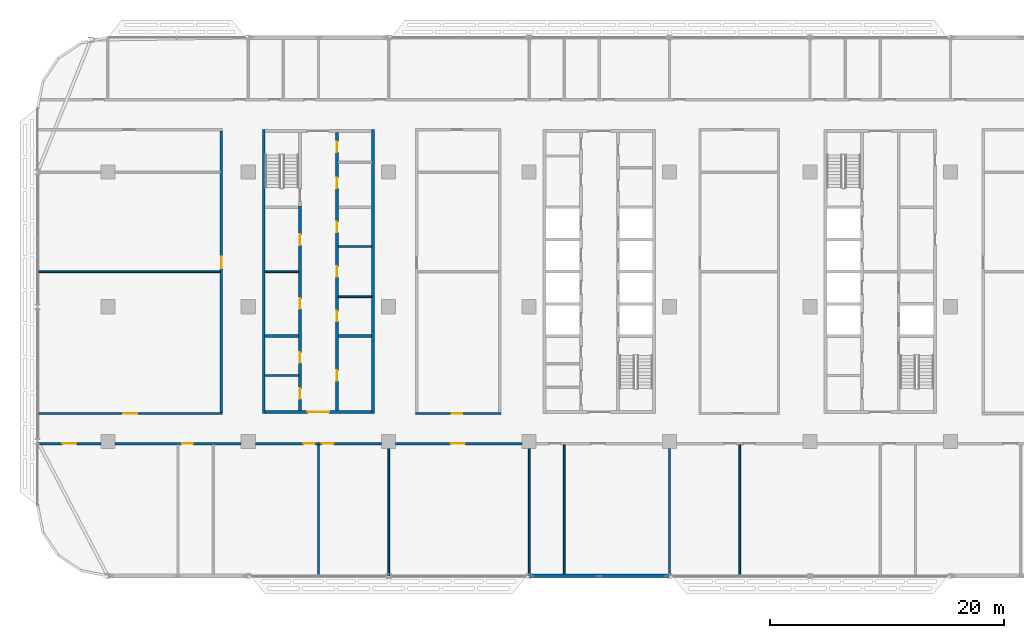
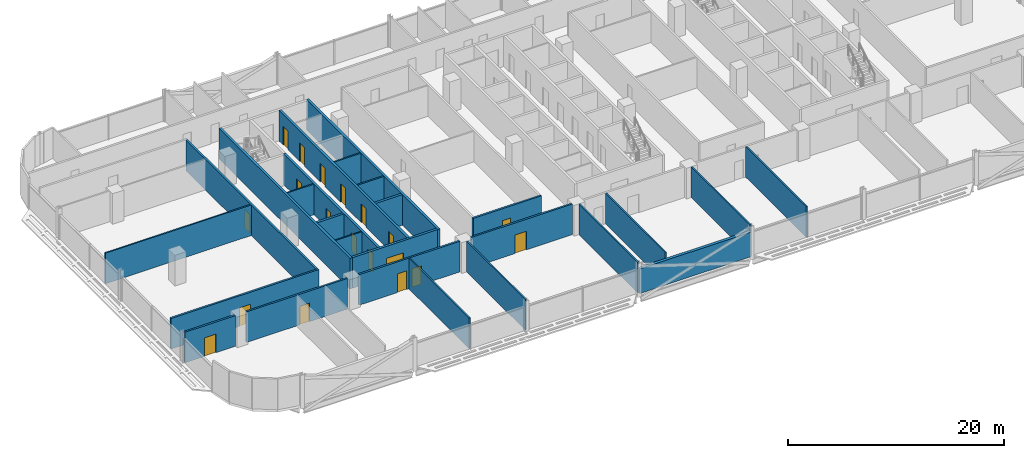
# One storey, part 11 of 27: 26 walls, 19 doors, 19 openings.
"""IFC4 building model written with IfcOpenShell, lengths in metres."""

from ifc_helpers import new_model, si_unit, direction, frame, frame_2d, origin, place, context, subcontext, project, spatial, rectangle, extrude, material, layer, layer_set, type_object, element, fill, save


model = new_model("IFC4")

# Units and contexts
model_context = context("Model", 3, precision=1e-05, world=origin(), true_north=direction((0.0, 1.0)))
body_context = subcontext(model_context, "Body", "Model", "MODEL_VIEW")
ifc_project = project(units=[si_unit("LENGTHUNIT", "METRE"), si_unit("AREAUNIT", "SQUARE_METRE"), si_unit("VOLUMEUNIT", "CUBIC_METRE"), si_unit("PLANEANGLEUNIT", "RADIAN"), si_unit("MASSUNIT", "GRAM", prefix="KILO")], contexts=[model_context])

# Site, building, storey
site_placement = place(None, origin())
site = spatial("IfcSite", under=ifc_project, at=site_placement, CompositionType="ELEMENT")
building_placement = place(site_placement, origin())
building = spatial("IfcBuilding", under=site, at=building_placement, Name="Mahtab Terrace Research Tower", CompositionType="ELEMENT")
storey_placement = place(building_placement, frame((0.0, 0.0, 163.0)))
storey = spatial("IfcBuildingStorey", under=building, at=storey_placement, Name="L38", CompositionType="ELEMENT", Elevation=163.0)

# Walls
ifc_material_1 = material(Name="Gypsum board partition")
ifc_layer_1 = layer(ifc_material_1, 0.14990234375)
ifc_layer_set_1 = layer_set([ifc_layer_1], Name="Core partition 150")
wall_type_1 = type_object("IfcWallType", Name="Core partition 150", PredefinedType="PARTITIONING", material=ifc_layer_set_1)
for number, where, z_axis, x_axis, name in (
    (1, (-28.550048828125, 3.0, 0.0), (0.0, 0.0, 1.0), (1.0, 0.0, 0.0), "Core wall A pWL0"),
    (2, (-22.300048828125, 0.85009765625, 0.0), (0.0, 0.0, 1.0), (1.0, 0.0, 0.0), "Core wall A pEL-215"),
    (3, (-22.300048828125, 5.14990234375, 0.0), (0.0, 0.0, 1.0), (1.0, 0.0, 0.0), "Core wall A pEL215"),
    (4, (-28.550048828125, -5.875, 0.0), (0.0, 0.0, 1.0), (1.0, 0.0, 0.0), "Core wall A pWS-888"),
):
    element("IfcWall", number, at=place(storey_placement, frame(where, z_axis=z_axis, x_axis=x_axis)), inside=storey, type_object=wall_type_1, Name=name, PredefinedType="PARTITIONING", context=body_context, shape_type="SweptSolid", body=[
        extrude(rectangle(XDim=2.85009765625, YDim=0.14990234375, at=frame_2d((1.425048828125, 0.0))), origin(), (0.0, 0.0, 1.0), 3.4599609375),
    ])
ifc_material_2 = material(Name="Concrete C70/85", Category="concrete")
ifc_layer_2 = layer(ifc_material_2, 0.25)
ifc_layer_set_2 = layer_set([ifc_layer_2], Name="Core wall 250")
wall_type_2 = type_object("IfcWallType", Name="Core wall 250", PredefinedType="SOLIDWALL", material=ifc_layer_set_2)
for number, where, z_axis, x_axis, name in (
    (5, (-28.675048828125, 15.125, 0.0), (0.0, 0.0, 1.0), (0.0, -1.0, 0.0), "Core wall A outerW"),
    (6, (-19.324951171875, -9.125, 0.0), (0.0, 0.0, 1.0), (0.0, 1.0, 0.0), "Core wall A outerE"),
):
    element("IfcWall", number, at=place(storey_placement, frame(where, z_axis=z_axis, x_axis=x_axis)), inside=storey, type_object=wall_type_2, Name=name, PredefinedType="SOLIDWALL", context=body_context, shape_type="SweptSolid", body=[
        extrude(rectangle(XDim=24.25, YDim=0.25, at=frame_2d((12.125, 0.0))), origin(), (0.0, 0.0, 1.0), 3.4599609375),
    ])

# Wall, opening, door
wall_1_placement = place(storey_placement, frame((-19.449951171875, -9.0, 0.0), z_axis=(0.0, 0.0, 1.0), x_axis=(-1.0, 0.0, 0.0)))
wall_1 = element("IfcWall", 7, at=wall_1_placement, inside=storey, type_object=wall_type_2, Name="Core wall A endS", PredefinedType="SOLIDWALL", context=body_context, shape_type="SweptSolid", body=[
    extrude(rectangle(XDim=9.10009765625, YDim=0.25, at=frame_2d((4.550048828125, 0.0))), origin(), (0.0, 0.0, 1.0), 3.4599609375),
])
opening_1_placement = place(wall_1_placement, frame((3.64990234375, 0.0, 0.0)))
opening_1 = element("IfcOpeningElement", 8, at=opening_1_placement, cuts=wall_1, Name="Opening A-S1", PredefinedType="OPENING", context=body_context, shape_type="SweptSolid", body=[
    extrude(rectangle(XDim=1.800048828125, YDim=2.10009765625, at=frame_2d((0.89990234375, 1.050048828125))), frame((0.0, 0.135009765625, 0.0), z_axis=(0.0, -1.0, 0.0), x_axis=(1.0, 0.0, 0.0)), (0.0, 0.0, 1.0), 0.27001953125),
])
ifc_material_3 = material(Name="Steel fire door", Category="steel")
door_type_1 = type_object("IfcDoorType", Name="Lobby double door 1800x2100 1 HR", OperationType="DOUBLE_DOOR_SINGLE_SWING", PredefinedType="DOOR", material=ifc_material_3)
door_1_placement = place(opening_1_placement, origin())
door_1 = element("IfcDoor", 9, at=door_1_placement, inside=storey, type_object=door_type_1, Name="Core entrance door A S", OperationType="DOUBLE_DOOR_SINGLE_SWING", OverallHeight=2.10009765625, OverallWidth=1.800048828125, PredefinedType="DOOR", context=body_context, shape_type="SweptSolid", body=[
    extrude(rectangle(XDim=1.800048828125, YDim=2.10009765625, at=frame_2d((0.89990234375, 1.050048828125))), frame((0.0, 0.02490234375, 0.0), z_axis=(0.0, -1.0, 0.0), x_axis=(1.0, 0.0, 0.0)), (0.0, 0.0, 1.0), 0.050048828125),
])
fill(opening_1, door_1)

# Wall, openings, doors
wall_2_placement = place(storey_placement, frame((-25.574951171875, -8.875, 0.0), z_axis=(0.0, 0.0, 1.0), x_axis=(0.0, 1.0, 0.0)))
wall_2 = element("IfcWall", 10, at=wall_2_placement, inside=storey, type_object=wall_type_2, Name="Core wall A innerWSL", PredefinedType="SOLIDWALL", context=body_context, shape_type="SweptSolid", body=[
    extrude(rectangle(XDim=17.5, YDim=0.25, at=frame_2d((8.75, 0.0))), origin(), (0.0, 0.0, 1.0), 3.4599609375),
])
opening_2_placement = place(wall_2_placement, frame((8.699951171875, 0.0, 0.0)))
opening_2 = element("IfcOpeningElement", 11, at=opening_2_placement, cuts=wall_2, Name="Opening A-R1", PredefinedType="OPENING", context=body_context, shape_type="SweptSolid", body=[
    extrude(rectangle(XDim=0.89990234375, YDim=2.10009765625, at=frame_2d((0.449951171875, 1.050048828125))), frame((0.0, 0.135009765625, 0.0), z_axis=(0.0, -1.0, 0.0), x_axis=(1.0, 0.0, 0.0)), (0.0, 0.0, 1.0), 0.27001953125),
])
opening_3_placement = place(wall_2_placement, frame((14.14990234375, 0.0, 0.0)))
opening_3 = element("IfcOpeningElement", 12, at=opening_3_placement, cuts=wall_2, Name="Opening A-R2", PredefinedType="OPENING", context=body_context, shape_type="SweptSolid", body=[
    extrude(rectangle(XDim=0.89990234375, YDim=2.10009765625, at=frame_2d((0.449951171875, 1.050048828125))), frame((0.0, 0.135009765625, 0.0), z_axis=(0.0, -1.0, 0.0), x_axis=(1.0, 0.0, 0.0)), (0.0, 0.0, 1.0), 0.27001953125),
])
opening_4_placement = place(wall_2_placement, frame((1.012451171875, 0.0, 0.0)))
opening_4 = element("IfcOpeningElement", 13, at=opening_4_placement, cuts=wall_2, Name="Opening A-R6", PredefinedType="OPENING", context=body_context, shape_type="SweptSolid", body=[
    extrude(rectangle(XDim=0.89990234375, YDim=2.10009765625, at=frame_2d((0.449951171875, 1.050048828125))), frame((0.0, 0.135009765625, 0.0), z_axis=(0.0, -1.0, 0.0), x_axis=(1.0, 0.0, 0.0)), (0.0, 0.0, 1.0), 0.27001953125),
])
opening_5_placement = place(wall_2_placement, frame((4.08740234375, 0.0, 0.0)))
opening_5 = element("IfcOpeningElement", 14, at=opening_5_placement, cuts=wall_2, Name="Opening A-R7", PredefinedType="OPENING", context=body_context, shape_type="SweptSolid", body=[
    extrude(rectangle(XDim=0.89990234375, YDim=2.10009765625, at=frame_2d((0.449951171875, 1.050048828125))), frame((0.0, 0.135009765625, 0.0), z_axis=(0.0, -1.0, 0.0), x_axis=(1.0, 0.0, 0.0)), (0.0, 0.0, 1.0), 0.27001953125),
])
door_type_2 = type_object("IfcDoorType", Name="Room door 900x2100 1 HR", OperationType="NOTDEFINED", PredefinedType="DOOR", material=ifc_material_3)
door_2_placement = place(opening_2_placement, origin())
door_2 = element("IfcDoor", 15, at=door_2_placement, inside=storey, type_object=door_type_2, Name="Document store door", OperationType="SINGLE_SWING_LEFT", OverallHeight=2.10009765625, OverallWidth=0.89990234375, PredefinedType="DOOR", context=body_context, shape_type="SweptSolid", body=[
    extrude(rectangle(XDim=0.89990234375, YDim=2.10009765625, at=frame_2d((0.449951171875, 1.050048828125))), frame((0.0, 0.02490234375, 0.0), z_axis=(0.0, -1.0, 0.0), x_axis=(1.0, 0.0, 0.0)), (0.0, 0.0, 1.0), 0.050048828125),
])
fill(opening_2, door_2)
door_3_placement = place(opening_3_placement, origin())
door_3 = element("IfcDoor", 16, at=door_3_placement, inside=storey, type_object=door_type_2, Name="IT equipment room door", OperationType="SINGLE_SWING_RIGHT", OverallHeight=2.10009765625, OverallWidth=0.89990234375, PredefinedType="DOOR", context=body_context, shape_type="SweptSolid", body=[
    extrude(rectangle(XDim=0.89990234375, YDim=2.10009765625, at=frame_2d((0.449951171875, 1.050048828125))), frame((0.0, 0.02490234375, 0.0), z_axis=(0.0, -1.0, 0.0), x_axis=(1.0, 0.0, 0.0)), (0.0, 0.0, 1.0), 0.050048828125),
])
fill(opening_3, door_3)
door_4_placement = place(opening_4_placement, origin())
door_4 = element("IfcDoor", 17, at=door_4_placement, inside=storey, type_object=door_type_2, Name="Staff WC door", OperationType="SINGLE_SWING_RIGHT", OverallHeight=2.10009765625, OverallWidth=0.89990234375, PredefinedType="DOOR", context=body_context, shape_type="SweptSolid", body=[
    extrude(rectangle(XDim=0.89990234375, YDim=2.10009765625, at=frame_2d((0.449951171875, 1.050048828125))), frame((0.0, 0.02490234375, 0.0), z_axis=(0.0, -1.0, 0.0), x_axis=(1.0, 0.0, 0.0)), (0.0, 0.0, 1.0), 0.050048828125),
])
fill(opening_4, door_4)
door_5_placement = place(opening_5_placement, origin())
door_5 = element("IfcDoor", 18, at=door_5_placement, inside=storey, type_object=door_type_2, Name="Accessible WC door", OperationType="SINGLE_SWING_LEFT", OverallHeight=2.10009765625, OverallWidth=0.89990234375, PredefinedType="DOOR", context=body_context, shape_type="SweptSolid", body=[
    extrude(rectangle(XDim=0.89990234375, YDim=2.10009765625, at=frame_2d((0.449951171875, 1.050048828125))), frame((0.0, 0.02490234375, 0.0), z_axis=(0.0, -1.0, 0.0), x_axis=(1.0, 0.0, 0.0)), (0.0, 0.0, 1.0), 0.050048828125),
])
fill(opening_5, door_5)

wall_3_placement = place(storey_placement, frame((-22.425048828125, 14.875, 0.0), z_axis=(0.0, 0.0, 1.0), x_axis=(0.0, -1.0, 0.0)))
wall_3 = element("IfcWall", 19, at=wall_3_placement, inside=storey, type_object=wall_type_2, Name="Core wall A innerESLN", PredefinedType="SOLIDWALL", context=body_context, shape_type="SweptSolid", body=[
    extrude(rectangle(XDim=23.75, YDim=0.25, at=frame_2d((11.875, 0.0))), origin(), (0.0, 0.0, 1.0), 3.4599609375),
])
opening_6_placement = place(wall_3_placement, frame((15.22509765625, 0.0, 0.0)))
opening_6 = element("IfcOpeningElement", 20, at=opening_6_placement, cuts=wall_3, Name="Opening A-R3", PredefinedType="OPENING", context=body_context, shape_type="SweptSolid", body=[
    extrude(rectangle(XDim=0.89990234375, YDim=2.10009765625, at=frame_2d((0.449951171875, 1.050048828125))), frame((0.0, 0.135009765625, 0.0), z_axis=(0.0, -1.0, 0.0), x_axis=(1.0, 0.0, 0.0)), (0.0, 0.0, 1.0), 0.27001953125),
])
opening_7_placement = place(wall_3_placement, frame((11.425048828125, 0.0, 0.0)))
opening_7 = element("IfcOpeningElement", 21, at=opening_7_placement, cuts=wall_3, Name="Opening A-R4", PredefinedType="OPENING", context=body_context, shape_type="SweptSolid", body=[
    extrude(rectangle(XDim=0.89990234375, YDim=2.10009765625, at=frame_2d((0.449951171875, 1.050048828125))), frame((0.0, 0.135009765625, 0.0), z_axis=(0.0, -1.0, 0.0), x_axis=(1.0, 0.0, 0.0)), (0.0, 0.0, 1.0), 0.27001953125),
])
opening_8_placement = place(wall_3_placement, frame((7.625, 0.0, 0.0)))
opening_8 = element("IfcOpeningElement", 22, at=opening_8_placement, cuts=wall_3, Name="Opening A-R5", PredefinedType="OPENING", context=body_context, shape_type="SweptSolid", body=[
    extrude(rectangle(XDim=0.89990234375, YDim=2.10009765625, at=frame_2d((0.449951171875, 1.050048828125))), frame((0.0, 0.135009765625, 0.0), z_axis=(0.0, -1.0, 0.0), x_axis=(1.0, 0.0, 0.0)), (0.0, 0.0, 1.0), 0.27001953125),
])
opening_9_placement = place(wall_3_placement, frame((20.300048828125, 0.0, 0.0)))
opening_9 = element("IfcOpeningElement", 23, at=opening_9_placement, cuts=wall_3, Name="Opening A-R8", PredefinedType="OPENING", context=body_context, shape_type="SweptSolid", body=[
    extrude(rectangle(XDim=0.89990234375, YDim=2.10009765625, at=frame_2d((0.449951171875, 1.050048828125))), frame((0.0, 0.135009765625, 0.0), z_axis=(0.0, -1.0, 0.0), x_axis=(1.0, 0.0, 0.0)), (0.0, 0.0, 1.0), 0.27001953125),
])
opening_10_placement = place(wall_3_placement, frame((3.847412109375, 0.0, 0.0)))
opening_10 = element("IfcOpeningElement", 24, at=opening_10_placement, cuts=wall_3, Name="Opening A-R9", PredefinedType="OPENING", context=body_context, shape_type="SweptSolid", body=[
    extrude(rectangle(XDim=0.89990234375, YDim=2.10009765625, at=frame_2d((0.449951171875, 1.050048828125))), frame((0.0, 0.135009765625, 0.0), z_axis=(0.0, -1.0, 0.0), x_axis=(1.0, 0.0, 0.0)), (0.0, 0.0, 1.0), 0.27001953125),
])
opening_11_placement = place(wall_3_placement, frame((0.7724609375, 0.0, 0.0)))
opening_11 = element("IfcOpeningElement", 25, at=opening_11_placement, cuts=wall_3, Name="Opening A-R10", PredefinedType="OPENING", context=body_context, shape_type="SweptSolid", body=[
    extrude(rectangle(XDim=0.89990234375, YDim=2.10009765625, at=frame_2d((0.449951171875, 1.050048828125))), frame((0.0, 0.135009765625, 0.0), z_axis=(0.0, -1.0, 0.0), x_axis=(1.0, 0.0, 0.0)), (0.0, 0.0, 1.0), 0.27001953125),
])
door_6_placement = place(opening_6_placement, origin())
door_6 = element("IfcDoor", 26, at=door_6_placement, inside=storey, type_object=door_type_2, Name="Electrical room door", OperationType="SINGLE_SWING_LEFT", OverallHeight=2.10009765625, OverallWidth=0.89990234375, PredefinedType="DOOR", context=body_context, shape_type="SweptSolid", body=[
    extrude(rectangle(XDim=0.89990234375, YDim=2.10009765625, at=frame_2d((0.449951171875, 1.050048828125))), frame((0.0, 0.02490234375, 0.0), z_axis=(0.0, -1.0, 0.0), x_axis=(1.0, 0.0, 0.0)), (0.0, 0.0, 1.0), 0.050048828125),
])
fill(opening_6, door_6)
door_7_placement = place(opening_7_placement, origin())
door_7 = element("IfcDoor", 27, at=door_7_placement, inside=storey, type_object=door_type_2, Name="Pantry door", OperationType="SINGLE_SWING_RIGHT", OverallHeight=2.10009765625, OverallWidth=0.89990234375, PredefinedType="DOOR", context=body_context, shape_type="SweptSolid", body=[
    extrude(rectangle(XDim=0.89990234375, YDim=2.10009765625, at=frame_2d((0.449951171875, 1.050048828125))), frame((0.0, 0.02490234375, 0.0), z_axis=(0.0, -1.0, 0.0), x_axis=(1.0, 0.0, 0.0)), (0.0, 0.0, 1.0), 0.050048828125),
])
fill(opening_7, door_7)
door_8_placement = place(opening_8_placement, origin())
door_8 = element("IfcDoor", 28, at=door_8_placement, inside=storey, type_object=door_type_2, Name="Housekeeping store door", OperationType="SINGLE_SWING_LEFT", OverallHeight=2.10009765625, OverallWidth=0.89990234375, PredefinedType="DOOR", context=body_context, shape_type="SweptSolid", body=[
    extrude(rectangle(XDim=0.89990234375, YDim=2.10009765625, at=frame_2d((0.449951171875, 1.050048828125))), frame((0.0, 0.02490234375, 0.0), z_axis=(0.0, -1.0, 0.0), x_axis=(1.0, 0.0, 0.0)), (0.0, 0.0, 1.0), 0.050048828125),
])
fill(opening_8, door_8)
door_9_placement = place(opening_9_placement, origin())
door_9 = element("IfcDoor", 29, at=door_9_placement, inside=storey, type_object=door_type_2, Name="Gas cylinder store door", OperationType="SINGLE_SWING_RIGHT", OverallHeight=2.10009765625, OverallWidth=0.89990234375, PredefinedType="DOOR", context=body_context, shape_type="SweptSolid", body=[
    extrude(rectangle(XDim=0.89990234375, YDim=2.10009765625, at=frame_2d((0.449951171875, 1.050048828125))), frame((0.0, 0.02490234375, 0.0), z_axis=(0.0, -1.0, 0.0), x_axis=(1.0, 0.0, 0.0)), (0.0, 0.0, 1.0), 0.050048828125),
])
fill(opening_9, door_9)
door_10_placement = place(opening_10_placement, origin())
door_10 = element("IfcDoor", 30, at=door_10_placement, inside=storey, type_object=door_type_2, Name="Pantry door", OperationType="SINGLE_SWING_LEFT", OverallHeight=2.10009765625, OverallWidth=0.89990234375, PredefinedType="DOOR", context=body_context, shape_type="SweptSolid", body=[
    extrude(rectangle(XDim=0.89990234375, YDim=2.10009765625, at=frame_2d((0.449951171875, 1.050048828125))), frame((0.0, 0.02490234375, 0.0), z_axis=(0.0, -1.0, 0.0), x_axis=(1.0, 0.0, 0.0)), (0.0, 0.0, 1.0), 0.050048828125),
])
fill(opening_10, door_10)
door_11_placement = place(opening_11_placement, origin())
door_11 = element("IfcDoor", 31, at=door_11_placement, inside=storey, type_object=door_type_2, Name="Linen store door", OperationType="SINGLE_SWING_RIGHT", OverallHeight=2.10009765625, OverallWidth=0.89990234375, PredefinedType="DOOR", context=body_context, shape_type="SweptSolid", body=[
    extrude(rectangle(XDim=0.89990234375, YDim=2.10009765625, at=frame_2d((0.449951171875, 1.050048828125))), frame((0.0, 0.02490234375, 0.0), z_axis=(0.0, -1.0, 0.0), x_axis=(1.0, 0.0, 0.0)), (0.0, 0.0, 1.0), 0.050048828125),
])
fill(opening_11, door_11)

# Walls
for number, where, z_axis, x_axis, name in (
    (32, (-28.550048828125, -2.5, 0.0), (0.0, 0.0, 1.0), (1.0, 0.0, 0.0), "Core wall A divW0"),
    (33, (-22.300048828125, -2.5, 0.0), (0.0, 0.0, 1.0), (1.0, 0.0, 0.0), "Core wall A divE0"),
):
    element("IfcWall", number, at=place(storey_placement, frame(where, z_axis=z_axis, x_axis=x_axis)), inside=storey, type_object=wall_type_2, Name=name, PredefinedType="SOLIDWALL", context=body_context, shape_type="SweptSolid", body=[
        extrude(rectangle(XDim=2.85009765625, YDim=0.25, at=frame_2d((1.425048828125, 0.0))), origin(), (0.0, 0.0, 1.0), 3.4599609375),
    ])
ifc_material_4 = material(Name="Black aluminium cladding panel", Category="aluminium")
ifc_layer_3 = layer(ifc_material_4, 0.300048828125)
ifc_layer_set_3 = layer_set([ifc_layer_3], Name="Opaque facade wall 300")
wall_type_3 = type_object("IfcWallType", Name="Opaque facade wall 300", PredefinedType="NOTDEFINED", material=ifc_layer_set_3)
wall_4_placement = place(storey_placement, frame((-5.985107421875, -23.0, 0.0), z_axis=(0.0, 0.0, 1.0), x_axis=(1.0, 0.0, 0.0)))
element("IfcWall", 34, at=wall_4_placement, inside=storey, type_object=wall_type_3, Name="Opaque facade wall L38 S26", PredefinedType="NOTDEFINED", context=body_context, shape_type="SweptSolid", body=[
    extrude(rectangle(XDim=11.97021484375, YDim=0.300048828125, at=frame_2d((5.985107421875, 0.0))), origin(), (0.0, 0.0, 1.0), 2.78173828125),
])

# Wall, opening, door
ifc_material_5 = material(Name="Gypsum board corridor wall on steel studs", Category="steel")
ifc_layer_4 = layer(ifc_material_5, 0.199951171875)
ifc_layer_set_4 = layer_set([ifc_layer_4], Name="WALL CORRIDOR 200")
wall_type_4 = type_object("IfcWallType", Name="WALL CORRIDOR 200", PredefinedType="PARTITIONING", material=ifc_layer_set_4)
wall_5_placement = place(storey_placement, frame((-47.97509765625, -11.699951171875, 0.0), z_axis=(0.0, 0.0, 1.0), x_axis=(1.0, 0.0, 0.0)))
wall_5 = element("IfcWall", 35, at=wall_5_placement, inside=storey, type_object=wall_type_4, Name="L38-W001", PredefinedType="PARTITIONING", context=body_context, shape_type="SweptSolid", body=[
    extrude(rectangle(XDim=5.375, YDim=0.199951171875, at=frame_2d((2.6875, 0.0))), origin(), (0.0, 0.0, 1.0), 3.4599609375),
])
opening_12_placement = place(wall_5_placement, frame((2.10009765625, 0.0, 0.0)))
opening_12 = element("IfcOpeningElement", 36, at=opening_12_placement, cuts=wall_5, Name="Opening L38-101", PredefinedType="OPENING", context=body_context, shape_type="SweptSolid", body=[
    extrude(rectangle(XDim=1.199951171875, YDim=2.10009765625, at=frame_2d((0.60009765625, 1.050048828125))), frame((0.0, 0.10986328125, 0.0), z_axis=(0.0, -1.0, 0.0), x_axis=(1.0, 0.0, 0.0)), (0.0, 0.0, 1.0), 0.219970703125),
])
ifc_material_6 = material(Name="Timber door leaf in steel frame", Category="steel")
door_type_3 = type_object("IfcDoorType", Name="DOOR 1200X2100 FD30S", OperationType="SINGLE_SWING_LEFT", PredefinedType="DOOR", material=ifc_material_6)
door_12_placement = place(opening_12_placement, origin())
door_12 = element("IfcDoor", 37, at=door_12_placement, inside=storey, type_object=door_type_3, Name="Door L38-101", OperationType="SINGLE_SWING_LEFT", OverallHeight=2.10009765625, OverallWidth=1.199951171875, PredefinedType="DOOR", context=body_context, shape_type="SweptSolid", body=[
    extrude(rectangle(XDim=1.199951171875, YDim=2.10009765625, at=frame_2d((0.60009765625, 1.050048828125))), frame((0.0, 0.02490234375, 0.0), z_axis=(0.0, -1.0, 0.0), x_axis=(1.0, 0.0, 0.0)), (0.0, 0.0, 1.0), 0.050048828125),
])
fill(opening_12, door_12)

wall_6_placement = place(storey_placement, frame((-41.39990234375, -11.699951171875, 0.0), z_axis=(0.0, 0.0, 1.0), x_axis=(1.0, 0.0, 0.0)))
wall_6 = element("IfcWall", 38, at=wall_6_placement, inside=storey, type_object=wall_type_4, Name="L38-W002", PredefinedType="PARTITIONING", context=body_context, shape_type="SweptSolid", body=[
    extrude(rectangle(XDim=10.7998046875, YDim=0.199951171875, at=frame_2d((5.39990234375, 0.0))), origin(), (0.0, 0.0, 1.0), 3.4599609375),
])
opening_13_placement = place(wall_6_placement, frame((5.699951171875, 0.0, 0.0)))
opening_13 = element("IfcOpeningElement", 39, at=opening_13_placement, cuts=wall_6, Name="Opening L38-102", PredefinedType="OPENING", context=body_context, shape_type="SweptSolid", body=[
    extrude(rectangle(XDim=1.0, YDim=2.10009765625, at=frame_2d((0.5, 1.050048828125))), frame((0.0, 0.10986328125, 0.0), z_axis=(0.0, -1.0, 0.0), x_axis=(1.0, 0.0, 0.0)), (0.0, 0.0, 1.0), 0.219970703125),
])
door_type_4 = type_object("IfcDoorType", Name="DOOR 1000X2100 FD30S", OperationType="SINGLE_SWING_LEFT", PredefinedType="DOOR", material=ifc_material_6)
door_13_placement = place(opening_13_placement, origin())
door_13 = element("IfcDoor", 40, at=door_13_placement, inside=storey, type_object=door_type_4, Name="Door L38-102", OperationType="SINGLE_SWING_LEFT", OverallHeight=2.10009765625, OverallWidth=1.0, PredefinedType="DOOR", context=body_context, shape_type="SweptSolid", body=[
    extrude(rectangle(XDim=1.0, YDim=2.10009765625, at=frame_2d((0.5, 1.050048828125))), frame((0.0, 0.02490234375, 0.0), z_axis=(0.0, -1.0, 0.0), x_axis=(1.0, 0.0, 0.0)), (0.0, 0.0, 1.0), 0.050048828125),
])
fill(opening_13, door_13)

# Wall, openings, doors
wall_7_placement = place(storey_placement, frame((-29.39990234375, -11.699951171875, 0.0), z_axis=(0.0, 0.0, 1.0), x_axis=(1.0, 0.0, 0.0)))
wall_7 = element("IfcWall", 41, at=wall_7_placement, inside=storey, type_object=wall_type_4, Name="L38-W003", PredefinedType="PARTITIONING", context=body_context, shape_type="SweptSolid", body=[
    extrude(rectangle(XDim=10.7998046875, YDim=0.199951171875, at=frame_2d((5.39990234375, 0.0))), origin(), (0.0, 0.0, 1.0), 3.4599609375),
])
opening_14_placement = place(wall_7_placement, frame((4.10009765625, 0.0, 0.0)))
opening_14 = element("IfcOpeningElement", 42, at=opening_14_placement, cuts=wall_7, Name="Opening L38-103", PredefinedType="OPENING", context=body_context, shape_type="SweptSolid", body=[
    extrude(rectangle(XDim=1.0, YDim=2.10009765625, at=frame_2d((0.5, 1.050048828125))), frame((0.0, 0.10986328125, 0.0), z_axis=(0.0, -1.0, 0.0), x_axis=(1.0, 0.0, 0.0)), (0.0, 0.0, 1.0), 0.219970703125),
])
opening_15_placement = place(wall_7_placement, frame((5.699951171875, 0.0, 0.0)))
opening_15 = element("IfcOpeningElement", 43, at=opening_15_placement, cuts=wall_7, Name="Opening L38-104", PredefinedType="OPENING", context=body_context, shape_type="SweptSolid", body=[
    extrude(rectangle(XDim=1.0, YDim=2.10009765625, at=frame_2d((0.5, 1.050048828125))), frame((0.0, 0.10986328125, 0.0), z_axis=(0.0, -1.0, 0.0), x_axis=(1.0, 0.0, 0.0)), (0.0, 0.0, 1.0), 0.219970703125),
])
door_14_placement = place(opening_14_placement, origin())
door_14 = element("IfcDoor", 44, at=door_14_placement, inside=storey, type_object=door_type_4, Name="Door L38-103", OperationType="SINGLE_SWING_RIGHT", OverallHeight=2.10009765625, OverallWidth=1.0, PredefinedType="DOOR", context=body_context, shape_type="SweptSolid", body=[
    extrude(rectangle(XDim=1.0, YDim=2.10009765625, at=frame_2d((0.5, 1.050048828125))), frame((0.0, 0.02490234375, 0.0), z_axis=(0.0, -1.0, 0.0), x_axis=(1.0, 0.0, 0.0)), (0.0, 0.0, 1.0), 0.050048828125),
])
fill(opening_14, door_14)
door_15_placement = place(opening_15_placement, origin())
door_15 = element("IfcDoor", 45, at=door_15_placement, inside=storey, type_object=door_type_4, Name="Door L38-104", OperationType="SINGLE_SWING_LEFT", OverallHeight=2.10009765625, OverallWidth=1.0, PredefinedType="DOOR", context=body_context, shape_type="SweptSolid", body=[
    extrude(rectangle(XDim=1.0, YDim=2.10009765625, at=frame_2d((0.5, 1.050048828125))), frame((0.0, 0.02490234375, 0.0), z_axis=(0.0, -1.0, 0.0), x_axis=(1.0, 0.0, 0.0)), (0.0, 0.0, 1.0), 0.050048828125),
])
fill(opening_15, door_15)

# Wall, opening, door
wall_8_placement = place(storey_placement, frame((-17.39990234375, -11.699951171875, 0.0), z_axis=(0.0, 0.0, 1.0), x_axis=(1.0, 0.0, 0.0)))
wall_8 = element("IfcWall", 46, at=wall_8_placement, inside=storey, type_object=wall_type_4, Name="L38-W004", PredefinedType="PARTITIONING", context=body_context, shape_type="SweptSolid", body=[
    extrude(rectangle(XDim=10.7998046875, YDim=0.199951171875, at=frame_2d((5.39990234375, 0.0))), origin(), (0.0, 0.0, 1.0), 3.4599609375),
])
opening_16_placement = place(wall_8_placement, frame((4.699951171875, 0.0, 0.0)))
opening_16 = element("IfcOpeningElement", 47, at=opening_16_placement, cuts=wall_8, Name="Opening L38-105", PredefinedType="OPENING", context=body_context, shape_type="SweptSolid", body=[
    extrude(rectangle(XDim=1.199951171875, YDim=2.10009765625, at=frame_2d((0.60009765625, 1.050048828125))), frame((0.0, 0.10986328125, 0.0), z_axis=(0.0, -1.0, 0.0), x_axis=(1.0, 0.0, 0.0)), (0.0, 0.0, 1.0), 0.219970703125),
])
door_16_placement = place(opening_16_placement, origin())
door_16 = element("IfcDoor", 48, at=door_16_placement, inside=storey, type_object=door_type_3, Name="Door L38-105", OperationType="SINGLE_SWING_RIGHT", OverallHeight=2.10009765625, OverallWidth=1.199951171875, PredefinedType="DOOR", context=body_context, shape_type="SweptSolid", body=[
    extrude(rectangle(XDim=1.199951171875, YDim=2.10009765625, at=frame_2d((0.60009765625, 1.050048828125))), frame((0.0, 0.02490234375, 0.0), z_axis=(0.0, -1.0, 0.0), x_axis=(1.0, 0.0, 0.0)), (0.0, 0.0, 1.0), 0.050048828125),
])
fill(opening_16, door_16)

wall_9_placement = place(storey_placement, frame((-47.97509765625, -9.125, 0.0), z_axis=(0.0, 0.0, 1.0), x_axis=(1.0, 0.0, 0.0)))
wall_9 = element("IfcWall", 49, at=wall_9_placement, inside=storey, type_object=wall_type_4, Name="L38-W010", PredefinedType="PARTITIONING", context=body_context, shape_type="SweptSolid", body=[
    extrude(rectangle(XDim=15.775146484375, YDim=0.199951171875, at=frame_2d((7.8876953125, 0.0))), origin(), (0.0, 0.0, 1.0), 3.4599609375),
])
opening_17_placement = place(wall_9_placement, frame((7.300048828125, 0.0, 0.0)))
opening_17 = element("IfcOpeningElement", 50, at=opening_17_placement, cuts=wall_9, Name="Opening L38-114", PredefinedType="OPENING", context=body_context, shape_type="SweptSolid", body=[
    extrude(rectangle(XDim=1.199951171875, YDim=2.10009765625, at=frame_2d((0.60009765625, 1.050048828125))), frame((0.0, 0.10986328125, 0.0), z_axis=(0.0, -1.0, 0.0), x_axis=(1.0, 0.0, 0.0)), (0.0, 0.0, 1.0), 0.219970703125),
])
door_17_placement = place(opening_17_placement, origin())
door_17 = element("IfcDoor", 51, at=door_17_placement, inside=storey, type_object=door_type_3, Name="Door L38-114", OperationType="SINGLE_SWING_RIGHT", OverallHeight=2.10009765625, OverallWidth=1.199951171875, PredefinedType="DOOR", context=body_context, shape_type="SweptSolid", body=[
    extrude(rectangle(XDim=1.199951171875, YDim=2.10009765625, at=frame_2d((0.60009765625, 1.050048828125))), frame((0.0, 0.02490234375, 0.0), z_axis=(0.0, -1.0, 0.0), x_axis=(1.0, 0.0, 0.0)), (0.0, 0.0, 1.0), 0.050048828125),
])
fill(opening_17, door_17)

wall_10_placement = place(storey_placement, frame((-15.699951171875, -9.125, 0.0), z_axis=(0.0, 0.0, 1.0), x_axis=(1.0, 0.0, 0.0)))
wall_10 = element("IfcWall", 52, at=wall_10_placement, inside=storey, type_object=wall_type_4, Name="L38-W011", PredefinedType="PARTITIONING", context=body_context, shape_type="SweptSolid", body=[
    extrude(rectangle(XDim=7.300048828125, YDim=0.199951171875, at=frame_2d((3.64990234375, 0.0))), origin(), (0.0, 0.0, 1.0), 3.4599609375),
])
opening_18_placement = place(wall_10_placement, frame((3.10009765625, 0.0, 0.0)))
opening_18 = element("IfcOpeningElement", 53, at=opening_18_placement, cuts=wall_10, Name="Opening L38-115", PredefinedType="OPENING", context=body_context, shape_type="SweptSolid", body=[
    extrude(rectangle(XDim=0.89990234375, YDim=2.10009765625, at=frame_2d((0.449951171875, 1.050048828125))), frame((0.0, 0.10986328125, 0.0), z_axis=(0.0, -1.0, 0.0), x_axis=(1.0, 0.0, 0.0)), (0.0, 0.0, 1.0), 0.219970703125),
])
door_type_5 = type_object("IfcDoorType", Name="DOOR 0900X2100 FD30S", OperationType="SINGLE_SWING_LEFT", PredefinedType="DOOR", material=ifc_material_6)
door_18_placement = place(opening_18_placement, origin())
door_18 = element("IfcDoor", 54, at=door_18_placement, inside=storey, type_object=door_type_5, Name="Door L38-115", OperationType="SINGLE_SWING_LEFT", OverallHeight=2.10009765625, OverallWidth=0.89990234375, PredefinedType="DOOR", context=body_context, shape_type="SweptSolid", body=[
    extrude(rectangle(XDim=0.89990234375, YDim=2.10009765625, at=frame_2d((0.449951171875, 1.050048828125))), frame((0.0, 0.02490234375, 0.0), z_axis=(0.0, -1.0, 0.0), x_axis=(1.0, 0.0, 0.0)), (0.0, 0.0, 1.0), 0.050048828125),
])
fill(opening_18, door_18)

wall_11_placement = place(storey_placement, frame((-32.300048828125, -9.02490234375, 0.0), z_axis=(0.0, 0.0, 1.0), x_axis=(0.0, 1.0, 0.0)))
wall_11 = element("IfcWall", 55, at=wall_11_placement, inside=storey, type_object=wall_type_4, Name="L38-W032", PredefinedType="PARTITIONING", context=body_context, shape_type="SweptSolid", body=[
    extrude(rectangle(XDim=24.0498046875, YDim=0.199951171875, at=frame_2d((12.02490234375, 0.0))), origin(), (0.0, 0.0, 1.0), 3.4599609375),
])
opening_19_placement = place(wall_11_placement, frame((12.300048828125, 0.0, 0.0)))
opening_19 = element("IfcOpeningElement", 56, at=opening_19_placement, cuts=wall_11, Name="Opening L38-118", PredefinedType="OPENING", context=body_context, shape_type="SweptSolid", body=[
    extrude(rectangle(XDim=1.0, YDim=2.10009765625, at=frame_2d((0.5, 1.050048828125))), frame((0.0, 0.10986328125, 0.0), z_axis=(0.0, -1.0, 0.0), x_axis=(1.0, 0.0, 0.0)), (0.0, 0.0, 1.0), 0.219970703125),
])
door_19_placement = place(opening_19_placement, origin())
door_19 = element("IfcDoor", 57, at=door_19_placement, inside=storey, type_object=door_type_4, Name="Door L38-118", OperationType="SINGLE_SWING_RIGHT", OverallHeight=2.10009765625, OverallWidth=1.0, PredefinedType="DOOR", context=body_context, shape_type="SweptSolid", body=[
    extrude(rectangle(XDim=1.0, YDim=2.10009765625, at=frame_2d((0.5, 1.050048828125))), frame((0.0, 0.02490234375, 0.0), z_axis=(0.0, -1.0, 0.0), x_axis=(1.0, 0.0, 0.0)), (0.0, 0.0, 1.0), 0.050048828125),
])
fill(opening_19, door_19)

# Walls
ifc_material_7 = material(Name="Gypsum board partition on steel studs", Category="steel")
ifc_layer_5 = layer(ifc_material_7, 0.14990234375)
ifc_layer_set_5 = layer_set([ifc_layer_5], Name="WALL PARTITION 150")
wall_type_5 = type_object("IfcWallType", Name="WALL PARTITION 150", PredefinedType="PARTITIONING", material=ifc_layer_set_5)
wall_12_placement = place(storey_placement, frame((-47.97509765625, 3.0, 0.0), z_axis=(0.0, 0.0, 1.0), x_axis=(1.0, 0.0, 0.0)))
element("IfcWall", 58, at=wall_12_placement, inside=storey, type_object=wall_type_5, Name="L38-W014", PredefinedType="PARTITIONING", context=body_context, shape_type="SweptSolid", body=[
    extrude(rectangle(XDim=15.5751953125, YDim=0.14990234375, at=frame_2d((7.78759765625, 0.0))), origin(), (0.0, 0.0, 1.0), 3.4599609375),
])
wall_13_placement = place(storey_placement, frame((-24.0, -22.97509765625, 0.0), z_axis=(0.0, 0.0, 1.0), x_axis=(0.0, 1.0, 0.0)))
element("IfcWall", 59, at=wall_13_placement, inside=storey, type_object=wall_type_5, Name="L38-W035", PredefinedType="PARTITIONING", context=body_context, shape_type="SweptSolid", body=[
    extrude(rectangle(XDim=11.175048828125, YDim=0.14990234375, at=frame_2d((5.58740234375, 0.0))), origin(), (0.0, 0.0, 1.0), 3.4599609375),
])
for number, where, z_axis, x_axis, name in (
    (60, (-18.0, -22.97509765625, 0.0), (0.0, 0.0, 1.0), (0.0, 1.0, 0.0), "L38-W037"),
    (61, (-6.0, -22.97509765625, 0.0), (0.0, 0.0, 1.0), (0.0, 1.0, 0.0), "L38-W041"),
):
    element("IfcWall", number, at=place(storey_placement, frame(where, z_axis=z_axis, x_axis=x_axis)), inside=storey, type_object=wall_type_5, Name=name, PredefinedType="PARTITIONING", context=body_context, shape_type="SweptSolid", body=[
        extrude(rectangle(XDim=10.875, YDim=0.14990234375, at=frame_2d((5.4375, 0.0))), origin(), (0.0, 0.0, 1.0), 3.4599609375),
    ])
wall_14_placement = place(storey_placement, frame((-3.0, -22.85009765625, 0.0), z_axis=(0.0, 0.0, 1.0), x_axis=(0.0, 1.0, 0.0)))
element("IfcWall", 62, at=wall_14_placement, inside=storey, type_object=wall_type_5, Name="L38-W043", PredefinedType="PARTITIONING", context=body_context, shape_type="SweptSolid", body=[
    extrude(rectangle(XDim=11.050048828125, YDim=0.14990234375, at=frame_2d((5.52490234375, 0.0))), origin(), (0.0, 0.0, 1.0), 3.4599609375),
])
wall_15_placement = place(storey_placement, frame((6.0, -22.97509765625, 0.0), z_axis=(0.0, 0.0, 1.0), x_axis=(0.0, 1.0, 0.0)))
element("IfcWall", 63, at=wall_15_placement, inside=storey, type_object=wall_type_5, Name="L38-W046", PredefinedType="PARTITIONING", context=body_context, shape_type="SweptSolid", body=[
    extrude(rectangle(XDim=10.875, YDim=0.14990234375, at=frame_2d((5.4375, 0.0))), origin(), (0.0, 0.0, 1.0), 3.4599609375),
])
wall_16_placement = place(storey_placement, frame((12.0, -22.97509765625, 0.0), z_axis=(0.0, 0.0, 1.0), x_axis=(0.0, 1.0, 0.0)))
element("IfcWall", 64, at=wall_16_placement, inside=storey, type_object=wall_type_5, Name="L38-W049", PredefinedType="PARTITIONING", context=body_context, shape_type="SweptSolid", body=[
    extrude(rectangle(XDim=11.175048828125, YDim=0.14990234375, at=frame_2d((5.58740234375, 0.0))), origin(), (0.0, 0.0, 1.0), 3.4599609375),
])

save(model, "model.ifc")
